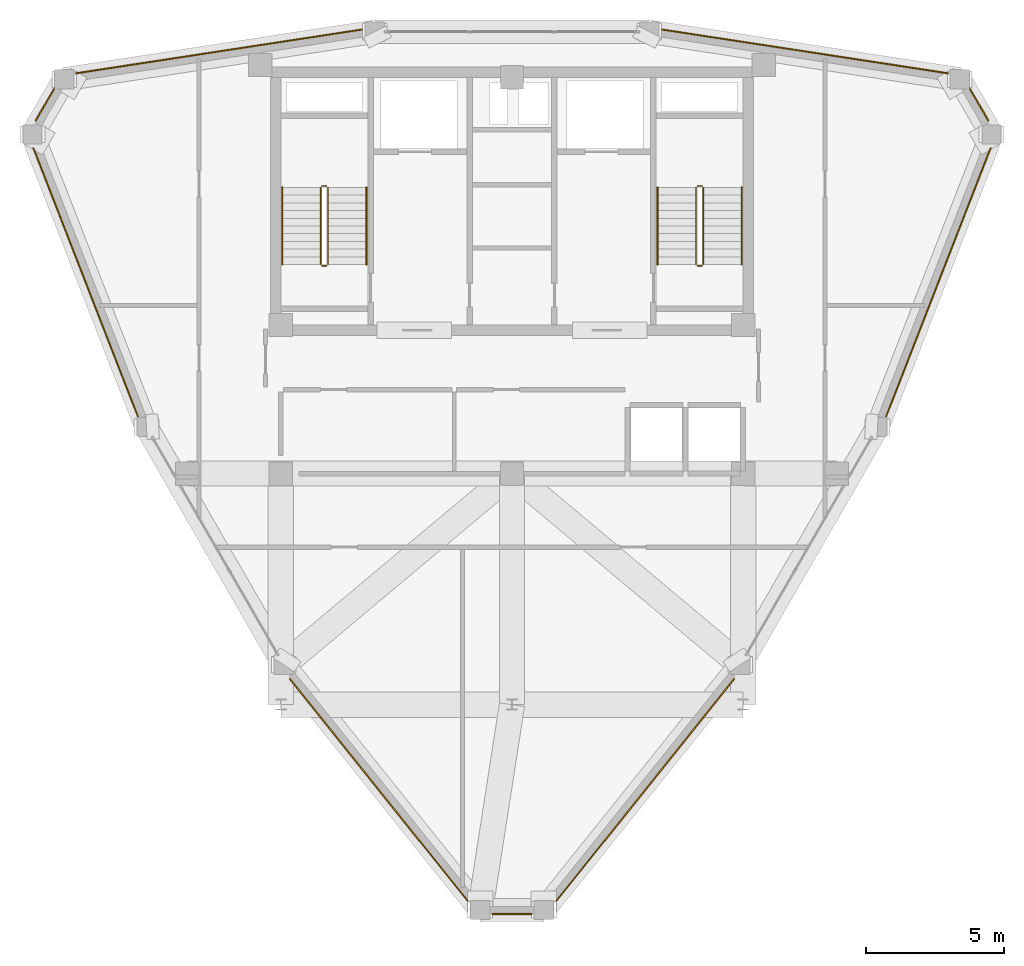
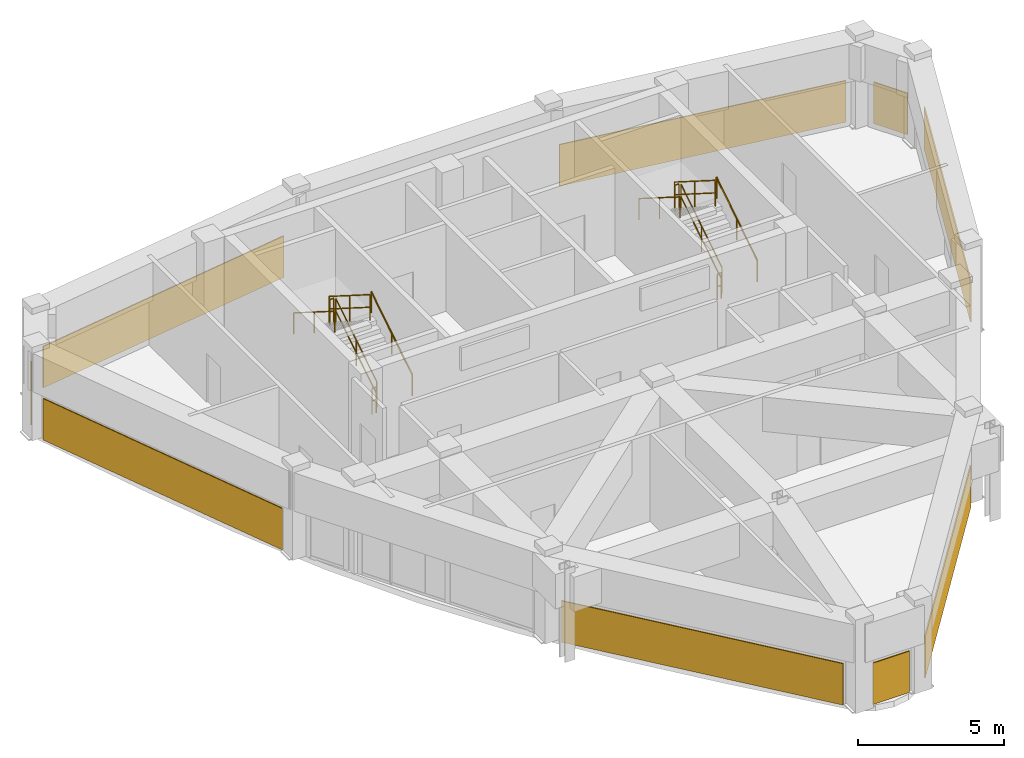
# One storey, part 13 of 13: 12 railings, 9 coverings.
"""IFC4 building model written with IfcOpenShell, lengths in metres."""

from ifc_helpers import new_model, si_unit, derived_unit, direction, frame, origin, origin_2d, place, context, subcontext, project, spatial, polyline, circle, outline, extrude, material, layer, layer_set, type_object, element, save


model = new_model("IFC4")

# Units and contexts
model_context = context("Model", 3, precision=1e-05, world=origin(), true_north=direction((0.0, 1.0)))
body_context = subcontext(model_context, "Body", "Model", "MODEL_VIEW")
ifc_project = project(units=[si_unit("LENGTHUNIT", "METRE"), si_unit("AREAUNIT", "SQUARE_METRE"), si_unit("VOLUMEUNIT", "CUBIC_METRE"), si_unit("PLANEANGLEUNIT", "RADIAN"), si_unit("MASSUNIT", "GRAM", prefix="KILO"), derived_unit("THERMALTRANSMITTANCEUNIT", [(si_unit("POWERUNIT", "WATT"), 1), (si_unit("LENGTHUNIT", "METRE"), -2), (si_unit("THERMODYNAMICTEMPERATUREUNIT", "KELVIN"), -1)])], contexts=[model_context])

# Site, building, storey
site_placement = place(None, origin())
site = spatial("IfcSite", under=ifc_project, at=site_placement, CompositionType="ELEMENT")
building_placement = place(site_placement, origin())
building = spatial("IfcBuilding", under=site, at=building_placement, Name="Korsvarv Bourse and Concert Hall", CompositionType="ELEMENT")
storey_placement = place(building_placement, frame((0.0, 0.0, 292.199951171875)))
storey = spatial("IfcBuildingStorey", under=building, at=storey_placement, Name="L76", CompositionType="ELEMENT", Elevation=292.199951171875)

# Coverings
ifc_material_1 = material(Name="Warm iron-oxide extruded terracotta rainscreen tile", Category="ceramic")
ifc_layer = layer(ifc_material_1, 0.044921875)
ifc_layer_set = layer_set([ifc_layer], Name="Warm iron-oxide extruded terracotta rainscreen tile")
covering_type = type_object("IfcCoveringType", Name="COV-CLD-TC", PredefinedType="CLADDING", material=ifc_layer_set)
covering_1_placement = place(storey_placement, origin())
element("IfcCovering", 1, at=covering_1_placement, inside=storey, type_object=covering_type, Name="L76 fluted terracotta cladding panel EW-L76-CRN01", PredefinedType="CLADDING", context=body_context, shape_type="SweptSolid", body=[
    extrude(outline(polyline([(53.29638671875, 45.214111328125), (52.6279296875, 46.3720703125), (52.6669921875, 46.39453125), (53.335205078125, 45.23681640625), (53.29638671875, 45.214111328125)])), origin(), (0.0, 0.0, 1.0), 1.72998046875),
])
covering_2_placement = place(storey_placement, origin())
element("IfcCovering", 2, at=covering_2_placement, inside=storey, type_object=covering_type, Name="L76 fluted terracotta cladding panel EW-L76-CRN02", PredefinedType="CLADDING", context=body_context, shape_type="SweptSolid", body=[
    extrude(outline(polyline([(51.859619140625, 46.923828125), (41.44189453125, 48.51904296875), (41.44873046875, 48.5634765625), (51.866455078125, 46.96826171875), (51.859619140625, 46.923828125)])), origin(), (0.0, 0.0, 1.0), 1.72998046875),
])
covering_3_placement = place(storey_placement, origin())
element("IfcCovering", 3, at=covering_3_placement, inside=storey, type_object=covering_type, Name="L76 fluted terracotta cladding panel EW-L76-CRN04", PredefinedType="CLADDING", context=body_context, shape_type="SweptSolid", body=[
    extrude(outline(polyline([(30.55810546875, 48.51904296875), (20.140380859375, 46.923828125), (20.133544921875, 46.96826171875), (30.55126953125, 48.5634765625), (30.55810546875, 48.51904296875)])), origin(), (0.0, 0.0, 1.0), 1.72998046875),
])
covering_4_placement = place(storey_placement, origin())
element("IfcCovering", 4, at=covering_4_placement, inside=storey, type_object=covering_type, Name="L76 fluted terracotta cladding panel EW-L76-CRN05", PredefinedType="CLADDING", context=body_context, shape_type="SweptSolid", body=[
    extrude(outline(polyline([(19.3720703125, 46.3720703125), (18.70361328125, 45.214111328125), (18.664794921875, 45.23681640625), (19.3330078125, 46.39453125), (19.3720703125, 46.3720703125)])), origin(), (0.0, 0.0, 1.0), 1.72998046875),
])
covering_5_placement = place(storey_placement, origin())
element("IfcCovering", 5, at=covering_5_placement, inside=storey, type_object=covering_type, Name="L76 fluted terracotta cladding panel EW-L76-CRN06", PredefinedType="CLADDING", context=body_context, shape_type="SweptSolid", body=[
    extrude(outline(polyline([(18.617919921875, 44.25244140625), (22.42919921875, 34.473876953125), (22.387451171875, 34.45751953125), (18.575927734375, 44.236083984375), (18.617919921875, 44.25244140625)])), origin(), (0.0, 0.0, 1.0), 1.72998046875),
])
covering_6_placement = place(storey_placement, origin())
element("IfcCovering", 6, at=covering_6_placement, inside=storey, type_object=covering_type, Name="L76 fluted terracotta cladding panel EW-L76-CRN08", PredefinedType="CLADDING", context=body_context, shape_type="SweptSolid", body=[
    extrude(outline(polyline([(27.939208984375, 24.952880859375), (34.409423828125, 16.878173828125), (34.37451171875, 16.849853515625), (27.904052734375, 24.9248046875), (27.939208984375, 24.952880859375)])), origin(), (0.0, 0.0, 1.0), 1.72998046875),
])
covering_7_placement = place(storey_placement, origin())
element("IfcCovering", 7, at=covering_7_placement, inside=storey, type_object=covering_type, Name="L76 fluted terracotta cladding panel EW-L76-CRN09", PredefinedType="CLADDING", context=body_context, shape_type="SweptSolid", body=[
    extrude(outline(polyline([(35.276611328125, 16.413818359375), (36.723388671875, 16.413818359375), (36.723388671875, 16.368896484375), (35.276611328125, 16.368896484375), (35.276611328125, 16.413818359375)])), origin(), (0.0, 0.0, 1.0), 1.72998046875),
])
covering_8_placement = place(storey_placement, origin())
element("IfcCovering", 8, at=covering_8_placement, inside=storey, type_object=covering_type, Name="L76 fluted terracotta cladding panel EW-L76-CRN10", PredefinedType="CLADDING", context=body_context, shape_type="SweptSolid", body=[
    extrude(outline(polyline([(37.590576171875, 16.878173828125), (44.060791015625, 24.952880859375), (44.095947265625, 24.9248046875), (37.62548828125, 16.849853515625), (37.590576171875, 16.878173828125)])), origin(), (0.0, 0.0, 1.0), 1.72998046875),
])
covering_9_placement = place(storey_placement, origin())
element("IfcCovering", 9, at=covering_9_placement, inside=storey, type_object=covering_type, Name="L76 fluted terracotta cladding panel EW-L76-CRN12", PredefinedType="CLADDING", context=body_context, shape_type="SweptSolid", body=[
    extrude(outline(polyline([(49.57080078125, 34.473876953125), (53.382080078125, 44.25244140625), (53.424072265625, 44.236083984375), (49.612548828125, 34.45751953125), (49.57080078125, 34.473876953125)])), origin(), (0.0, 0.0, 1.0), 1.72998046875),
])

# Railings
ifc_material_2 = material(Name="Painted Steel S355 stair well guardrail", Category="steel")
railing_type_1 = type_object("IfcRailingType", Name="RL-ST-GRD", PredefinedType="GUARDRAIL", material=ifc_material_2)
railing_1_placement = place(storey_placement, frame((29.31005859375, 40.0, 0.17724609375)))
element("IfcRailing", 10, at=railing_1_placement, inside=storey, type_object=railing_type_1, Name="L76 ST-T1 stair guard 1", PredefinedType="GUARDRAIL", context=body_context, shape_type="SweptSolid", body=[
    extrude(circle(Radius=0.02392578125, at=origin_2d()), frame((0.0, 0.0, 1.076171875), z_axis=(0.0, 0.844908973607, 0.534910110503), x_axis=(-1.0, 0.0, 0.0)), (0.0, 0.0, 1.0), 3.31396484375),
    extrude(circle(Radius=0.02392578125, at=origin_2d()), frame((0.0, 0.0, 0.550048828125), z_axis=(0.0, 0.844908973607, 0.534910110503), x_axis=(-1.0, 0.0, 0.0)), (0.0, 0.0, 1.0), 3.31396484375),
    extrude(circle(Radius=0.02099609375, at=origin_2d()), origin(), (0.0, 0.0, 1.0), 1.052001953125),
    extrude(circle(Radius=0.02099609375, at=origin_2d()), frame((0.0, 1.39990234375, 0.88623046875)), (0.0, 0.0, 1.0), 1.052001953125),
    extrude(circle(Radius=0.02099609375, at=origin_2d()), frame((0.0, 2.800048828125, 1.772705078125)), (0.0, 0.0, 1.0), 1.052001953125),
])
railing_2_placement = place(storey_placement, frame((29.260009765625, 42.85009765625, 1.949951171875)))
element("IfcRailing", 11, at=railing_2_placement, inside=storey, type_object=railing_type_1, Name="L76 ST-T1 stair guard 2", PredefinedType="GUARDRAIL", context=body_context, shape_type="SweptSolid", body=[
    extrude(circle(Radius=0.02392578125, at=origin_2d()), frame((0.0, 0.0, 1.076171875), z_axis=(-1.0, 0.0, 0.0), x_axis=(0.0, -1.0, 0.0)), (0.0, 0.0, 1.0), 0.159912109375),
    extrude(circle(Radius=0.02392578125, at=origin_2d()), frame((0.0, 0.0, 0.550048828125), z_axis=(-1.0, 0.0, 0.0), x_axis=(0.0, -1.0, 0.0)), (0.0, 0.0, 1.0), 0.159912109375),
    extrude(circle(Radius=0.02099609375, at=origin_2d()), origin(), (0.0, 0.0, 1.0), 1.052001953125),
    extrude(circle(Radius=0.02099609375, at=origin_2d()), frame((-0.159912109375, 0.0, 0.0)), (0.0, 0.0, 1.0), 1.052001953125),
])
railing_3_placement = place(storey_placement, frame((29.050048828125, 42.800048828125, 2.12744140625)))
element("IfcRailing", 12, at=railing_3_placement, inside=storey, type_object=railing_type_1, Name="L76 ST-T1 stair guard 3", PredefinedType="GUARDRAIL", context=body_context, shape_type="SweptSolid", body=[
    extrude(circle(Radius=0.02392578125, at=origin_2d()), frame((0.0, 0.0, 1.076171875), z_axis=(0.0, -0.844908973607, 0.534910110503), x_axis=(1.0, 0.0, 0.0)), (0.0, 0.0, 1.0), 3.31396484375),
    extrude(circle(Radius=0.02392578125, at=origin_2d()), frame((0.0, 0.0, 0.550048828125), z_axis=(0.0, -0.844908973607, 0.534910110503), x_axis=(1.0, 0.0, 0.0)), (0.0, 0.0, 1.0), 3.31396484375),
    extrude(circle(Radius=0.02099609375, at=origin_2d()), origin(), (0.0, 0.0, 1.0), 1.052001953125),
    extrude(circle(Radius=0.02099609375, at=origin_2d()), frame((0.0, -1.39990234375, 0.88623046875)), (0.0, 0.0, 1.0), 1.052001953125),
    extrude(circle(Radius=0.02099609375, at=origin_2d()), frame((0.0, -2.800048828125, 1.772705078125)), (0.0, 0.0, 1.0), 1.052001953125),
])
railing_4_placement = place(storey_placement, frame((29.260009765625, 39.949951171875, 0.0)))
element("IfcRailing", 13, at=railing_4_placement, inside=storey, type_object=railing_type_1, Name="L76 ST-T1 stair guard 4", PredefinedType="GUARDRAIL", context=body_context, shape_type="SweptSolid", body=[
    extrude(circle(Radius=0.02392578125, at=origin_2d()), frame((0.0, 0.0, 1.076171875), z_axis=(-1.0, 0.0, 0.0), x_axis=(0.0, -1.0, 0.0)), (0.0, 0.0, 1.0), 0.159912109375),
    extrude(circle(Radius=0.02392578125, at=origin_2d()), frame((0.0, 0.0, 0.550048828125), z_axis=(-1.0, 0.0, 0.0), x_axis=(0.0, -1.0, 0.0)), (0.0, 0.0, 1.0), 0.159912109375),
    extrude(circle(Radius=0.02099609375, at=origin_2d()), origin(), (0.0, 0.0, 1.0), 1.052001953125),
    extrude(circle(Radius=0.02099609375, at=origin_2d()), frame((-0.159912109375, 0.0, 0.0)), (0.0, 0.0, 1.0), 1.052001953125),
])
railing_5_placement = place(storey_placement, frame((42.949951171875, 40.0, 0.17724609375)))
element("IfcRailing", 14, at=railing_5_placement, inside=storey, type_object=railing_type_1, Name="L76 ST-T2 stair guard 1", PredefinedType="GUARDRAIL", context=body_context, shape_type="SweptSolid", body=[
    extrude(circle(Radius=0.02392578125, at=origin_2d()), frame((0.0, 0.0, 1.076171875), z_axis=(0.0, 0.844908973607, 0.534910110503), x_axis=(-1.0, 0.0, 0.0)), (0.0, 0.0, 1.0), 3.31396484375),
    extrude(circle(Radius=0.02392578125, at=origin_2d()), frame((0.0, 0.0, 0.550048828125), z_axis=(0.0, 0.844908973607, 0.534910110503), x_axis=(-1.0, 0.0, 0.0)), (0.0, 0.0, 1.0), 3.31396484375),
    extrude(circle(Radius=0.02099609375, at=origin_2d()), origin(), (0.0, 0.0, 1.0), 1.052001953125),
    extrude(circle(Radius=0.02099609375, at=origin_2d()), frame((0.0, 1.39990234375, 0.88623046875)), (0.0, 0.0, 1.0), 1.052001953125),
    extrude(circle(Radius=0.02099609375, at=origin_2d()), frame((0.0, 2.800048828125, 1.772705078125)), (0.0, 0.0, 1.0), 1.052001953125),
])
railing_6_placement = place(storey_placement, frame((42.89990234375, 42.85009765625, 1.949951171875)))
element("IfcRailing", 15, at=railing_6_placement, inside=storey, type_object=railing_type_1, Name="L76 ST-T2 stair guard 2", PredefinedType="GUARDRAIL", context=body_context, shape_type="SweptSolid", body=[
    extrude(circle(Radius=0.02392578125, at=origin_2d()), frame((0.0, 0.0, 1.076171875), z_axis=(-1.0, 0.0, 0.0), x_axis=(0.0, -1.0, 0.0)), (0.0, 0.0, 1.0), 0.159912109375),
    extrude(circle(Radius=0.02392578125, at=origin_2d()), frame((0.0, 0.0, 0.550048828125), z_axis=(-1.0, 0.0, 0.0), x_axis=(0.0, -1.0, 0.0)), (0.0, 0.0, 1.0), 0.159912109375),
    extrude(circle(Radius=0.02099609375, at=origin_2d()), origin(), (0.0, 0.0, 1.0), 1.052001953125),
    extrude(circle(Radius=0.02099609375, at=origin_2d()), frame((-0.159912109375, 0.0, 0.0)), (0.0, 0.0, 1.0), 1.052001953125),
])
railing_7_placement = place(storey_placement, frame((42.68994140625, 42.800048828125, 2.12744140625)))
element("IfcRailing", 16, at=railing_7_placement, inside=storey, type_object=railing_type_1, Name="L76 ST-T2 stair guard 3", PredefinedType="GUARDRAIL", context=body_context, shape_type="SweptSolid", body=[
    extrude(circle(Radius=0.02392578125, at=origin_2d()), frame((0.0, 0.0, 1.076171875), z_axis=(0.0, -0.844908973607, 0.534910110503), x_axis=(1.0, 0.0, 0.0)), (0.0, 0.0, 1.0), 3.31396484375),
    extrude(circle(Radius=0.02392578125, at=origin_2d()), frame((0.0, 0.0, 0.550048828125), z_axis=(0.0, -0.844908973607, 0.534910110503), x_axis=(1.0, 0.0, 0.0)), (0.0, 0.0, 1.0), 3.31396484375),
    extrude(circle(Radius=0.02099609375, at=origin_2d()), origin(), (0.0, 0.0, 1.0), 1.052001953125),
    extrude(circle(Radius=0.02099609375, at=origin_2d()), frame((0.0, -1.39990234375, 0.88623046875)), (0.0, 0.0, 1.0), 1.052001953125),
    extrude(circle(Radius=0.02099609375, at=origin_2d()), frame((0.0, -2.800048828125, 1.772705078125)), (0.0, 0.0, 1.0), 1.052001953125),
])
railing_8_placement = place(storey_placement, frame((42.89990234375, 39.949951171875, 0.0)))
element("IfcRailing", 17, at=railing_8_placement, inside=storey, type_object=railing_type_1, Name="L76 ST-T2 stair guard 4", PredefinedType="GUARDRAIL", context=body_context, shape_type="SweptSolid", body=[
    extrude(circle(Radius=0.02392578125, at=origin_2d()), frame((0.0, 0.0, 1.076171875), z_axis=(-1.0, 0.0, 0.0), x_axis=(0.0, -1.0, 0.0)), (0.0, 0.0, 1.0), 0.159912109375),
    extrude(circle(Radius=0.02392578125, at=origin_2d()), frame((0.0, 0.0, 0.550048828125), z_axis=(-1.0, 0.0, 0.0), x_axis=(0.0, -1.0, 0.0)), (0.0, 0.0, 1.0), 0.159912109375),
    extrude(circle(Radius=0.02099609375, at=origin_2d()), origin(), (0.0, 0.0, 1.0), 1.052001953125),
    extrude(circle(Radius=0.02099609375, at=origin_2d()), frame((-0.159912109375, 0.0, 0.0)), (0.0, 0.0, 1.0), 1.052001953125),
])
ifc_material_3 = material(Name="Brushed stainless Steel S355 tubular handrail", Category="steel")
railing_type_2 = type_object("IfcRailingType", Name="RL-ST-HND", PredefinedType="HANDRAIL", material=ifc_material_3)
railing_9_placement = place(storey_placement, frame((30.7099609375, 40.0, 0.17724609375)))
element("IfcRailing", 18, at=railing_9_placement, inside=storey, type_object=railing_type_2, Name="L76 ST-T1 stair handrail 1", PredefinedType="HANDRAIL", context=body_context, shape_type="SweptSolid", body=[
    extrude(circle(Radius=0.02392578125, at=origin_2d()), frame((0.0, 0.0, 0.8759765625), z_axis=(0.0, 0.844908973607, 0.534910110503), x_axis=(-1.0, 0.0, 0.0)), (0.0, 0.0, 1.0), 3.31396484375),
    extrude(circle(Radius=0.02099609375, at=origin_2d()), origin(), (0.0, 0.0, 1.0), 0.851806640625),
    extrude(circle(Radius=0.02099609375, at=origin_2d()), frame((0.0, 1.39990234375, 0.88623046875)), (0.0, 0.0, 1.0), 0.851806640625),
    extrude(circle(Radius=0.02099609375, at=origin_2d()), frame((0.0, 2.800048828125, 1.772705078125)), (0.0, 0.0, 1.0), 0.851806640625),
])
railing_10_placement = place(storey_placement, frame((27.64990234375, 42.800048828125, 2.12744140625)))
element("IfcRailing", 19, at=railing_10_placement, inside=storey, type_object=railing_type_2, Name="L76 ST-T1 stair handrail 2", PredefinedType="HANDRAIL", context=body_context, shape_type="SweptSolid", body=[
    extrude(circle(Radius=0.02392578125, at=origin_2d()), frame((0.0, 0.0, 0.8759765625), z_axis=(0.0, -0.844908973607, 0.534910110503), x_axis=(1.0, 0.0, 0.0)), (0.0, 0.0, 1.0), 3.31396484375),
    extrude(circle(Radius=0.02099609375, at=origin_2d()), origin(), (0.0, 0.0, 1.0), 0.851806640625),
    extrude(circle(Radius=0.02099609375, at=origin_2d()), frame((0.0, -1.39990234375, 0.88623046875)), (0.0, 0.0, 1.0), 0.851806640625),
    extrude(circle(Radius=0.02099609375, at=origin_2d()), frame((0.0, -2.800048828125, 1.772705078125)), (0.0, 0.0, 1.0), 0.851806640625),
])
railing_11_placement = place(storey_placement, frame((44.35009765625, 40.0, 0.17724609375)))
element("IfcRailing", 20, at=railing_11_placement, inside=storey, type_object=railing_type_2, Name="L76 ST-T2 stair handrail 1", PredefinedType="HANDRAIL", context=body_context, shape_type="SweptSolid", body=[
    extrude(circle(Radius=0.02392578125, at=origin_2d()), frame((0.0, 0.0, 0.8759765625), z_axis=(0.0, 0.844908973607, 0.534910110503), x_axis=(-1.0, 0.0, 0.0)), (0.0, 0.0, 1.0), 3.31396484375),
    extrude(circle(Radius=0.02099609375, at=origin_2d()), origin(), (0.0, 0.0, 1.0), 0.851806640625),
    extrude(circle(Radius=0.02099609375, at=origin_2d()), frame((0.0, 1.39990234375, 0.88623046875)), (0.0, 0.0, 1.0), 0.851806640625),
    extrude(circle(Radius=0.02099609375, at=origin_2d()), frame((0.0, 2.800048828125, 1.772705078125)), (0.0, 0.0, 1.0), 0.851806640625),
])
railing_12_placement = place(storey_placement, frame((41.2900390625, 42.800048828125, 2.12744140625)))
element("IfcRailing", 21, at=railing_12_placement, inside=storey, type_object=railing_type_2, Name="L76 ST-T2 stair handrail 2", PredefinedType="HANDRAIL", context=body_context, shape_type="SweptSolid", body=[
    extrude(circle(Radius=0.02392578125, at=origin_2d()), frame((0.0, 0.0, 0.8759765625), z_axis=(0.0, -0.844908973607, 0.534910110503), x_axis=(1.0, 0.0, 0.0)), (0.0, 0.0, 1.0), 3.31396484375),
    extrude(circle(Radius=0.02099609375, at=origin_2d()), origin(), (0.0, 0.0, 1.0), 0.851806640625),
    extrude(circle(Radius=0.02099609375, at=origin_2d()), frame((0.0, -1.39990234375, 0.88623046875)), (0.0, 0.0, 1.0), 0.851806640625),
    extrude(circle(Radius=0.02099609375, at=origin_2d()), frame((0.0, -2.800048828125, 1.772705078125)), (0.0, 0.0, 1.0), 0.851806640625),
])

save(model, "model.ifc")
